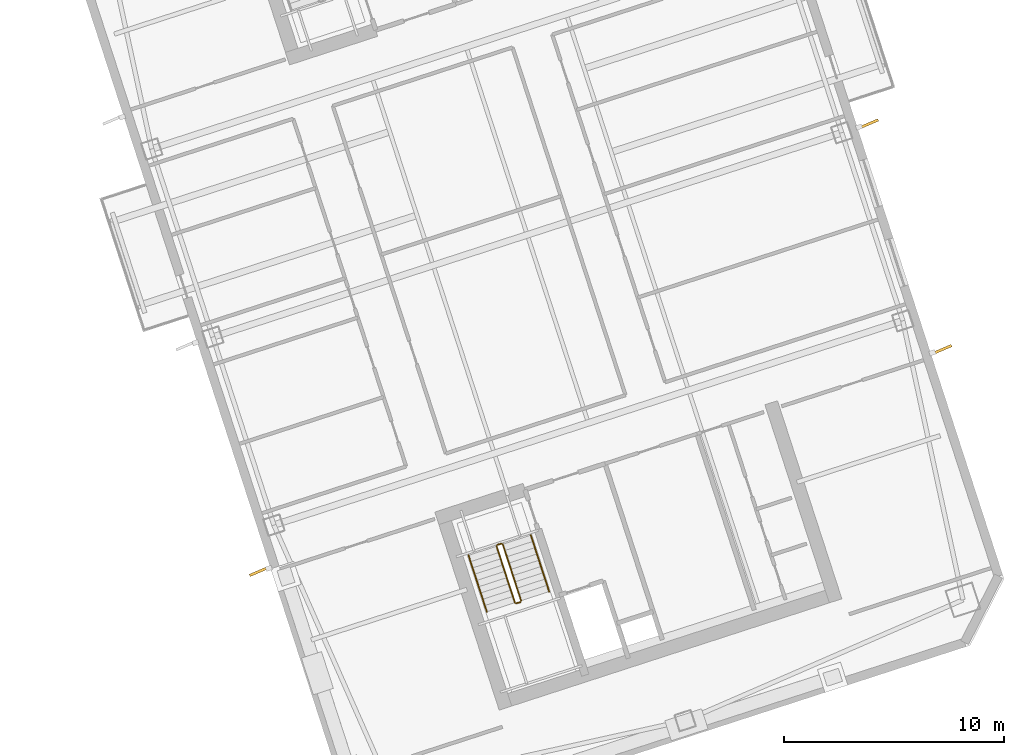
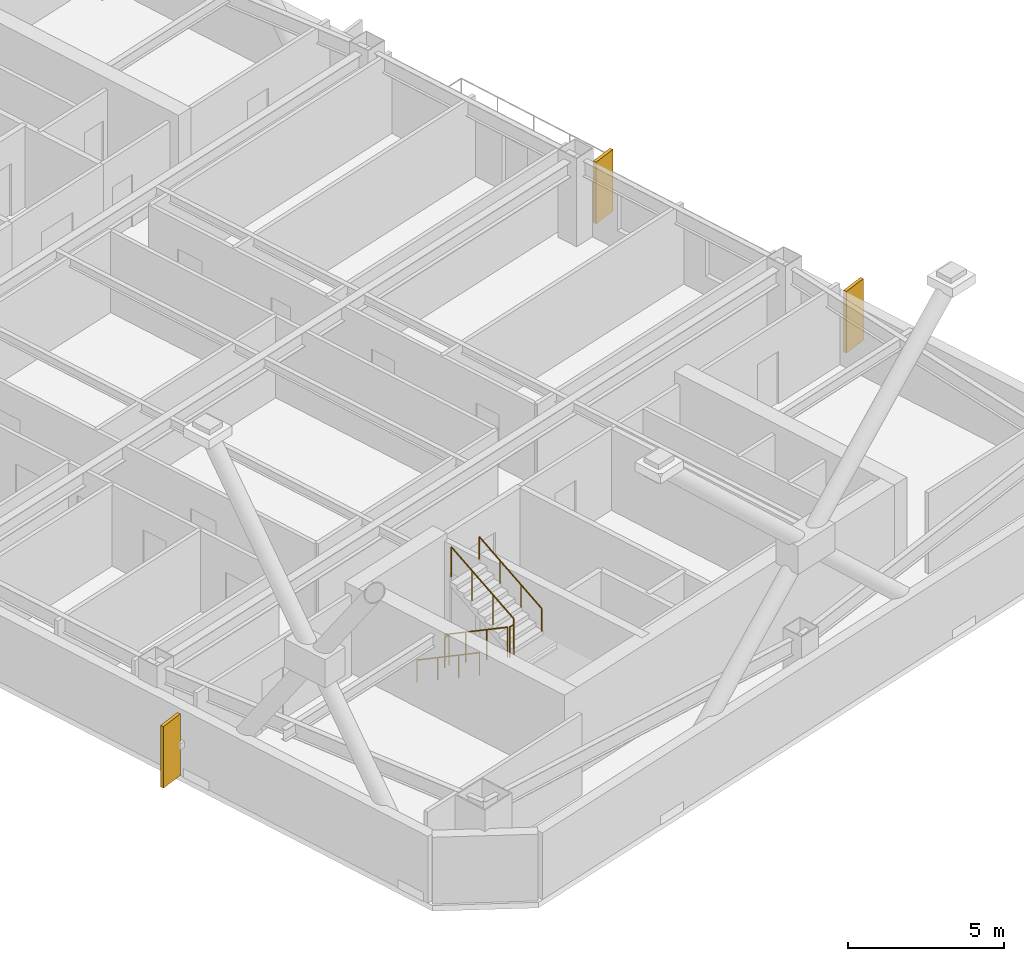
# One storey, part 17 of 18: 6 railings, 3 shading devices.
"""IFC4 building model written with IfcOpenShell, lengths in metres."""

from ifc_helpers import new_model, si_unit, direction, frame, origin, origin_2d, place, context, subcontext, project, spatial, rectangle, circle, extrude, material, layer, layer_set, type_object, element, save


model = new_model("IFC4")

# Units and contexts
model_context = context("Model", 3, precision=1e-05, world=origin(), true_north=direction((0.0, 1.0)))
body_context = subcontext(model_context, "Body", "Model", "MODEL_VIEW")
ifc_project = project(units=[si_unit("LENGTHUNIT", "METRE"), si_unit("AREAUNIT", "SQUARE_METRE"), si_unit("VOLUMEUNIT", "CUBIC_METRE"), si_unit("PLANEANGLEUNIT", "RADIAN"), si_unit("MASSUNIT", "GRAM", prefix="KILO")], contexts=[model_context])

# Site, building, storey
site_placement = place(None, origin())
site = spatial("IfcSite", under=ifc_project, at=site_placement, CompositionType="ELEMENT")
building_placement = place(site_placement, origin())
building = spatial("IfcBuilding", under=site, at=building_placement, Name="Qiaolan Cultural Towers", CompositionType="ELEMENT")
storey_placement = place(building_placement, frame((0.0, 0.0, 163.300048828125)))
storey = spatial("IfcBuildingStorey", under=building, at=storey_placement, Name="L43", CompositionType="ELEMENT", Elevation=163.300048828125)

# Railings
ifc_material_1 = material(Name="Galvanized Painted Steel Stair Guardrail", Category="steel")
railing_type_1 = type_object("IfcRailingType", Name="RL-STAIR-GRD", PredefinedType="GUARDRAIL", material=ifc_material_1)
railing_1_placement = place(storey_placement, frame((88.60205078125, 19.82421875, 0.17236328125)))
element("IfcRailing", 1, at=railing_1_placement, inside=storey, type_object=railing_type_1, Name="L43 ST-E1 stair guard 1", PredefinedType="GUARDRAIL", context=body_context, shape_type="SweptSolid", body=[
    extrude(circle(Radius=0.02392578125, at=origin_2d()), frame((0.0, 0.0, 1.17578125), z_axis=(0.267925668498, -0.824471088726, 0.498460891159), x_axis=(0.951043371037, 0.309057448393, 0.0)), (0.0, 0.0, 1.0), 3.114501953125),
    extrude(circle(Radius=0.02099609375, at=origin_2d()), origin(), (0.0, 0.0, 1.0), 1.15185546875),
    extrude(circle(Radius=0.02099609375, at=origin_2d()), frame((0.278076171875, -0.85595703125, 0.517578125)), (0.0, 0.0, 1.0), 1.15185546875),
    extrude(circle(Radius=0.02099609375, at=origin_2d()), frame((0.556396484375, -1.7119140625, 1.034912109375)), (0.0, 0.0, 1.0), 1.15185546875),
    extrude(circle(Radius=0.02099609375, at=origin_2d()), frame((0.83447265625, -2.56787109375, 1.552490234375)), (0.0, 0.0, 1.0), 1.15185546875),
])
railing_2_placement = place(storey_placement, frame((89.49951171875, 17.224365234375, 1.724853515625)))
element("IfcRailing", 2, at=railing_2_placement, inside=storey, type_object=railing_type_1, Name="L43 ST-E1 stair guard 2", PredefinedType="GUARDRAIL", context=body_context, shape_type="SweptSolid", body=[
    extrude(circle(Radius=0.02392578125, at=origin_2d()), frame((0.0, 0.0, 1.17578125), z_axis=(0.951096855055, 0.308892816854, 0.0), x_axis=(-0.308892816854, 0.951096855055, 0.0)), (0.0, 0.0, 1.0), 0.199951171875),
    extrude(circle(Radius=0.02099609375, at=origin_2d()), origin(), (0.0, 0.0, 1.0), 1.15185546875),
    extrude(circle(Radius=0.02099609375, at=origin_2d()), frame((0.190185546875, 0.061767578125, 0.0)), (0.0, 0.0, 1.0), 1.15185546875),
])
railing_3_placement = place(storey_placement, frame((89.721923828125, 17.34912109375, 1.8974609375)))
element("IfcRailing", 3, at=railing_3_placement, inside=storey, type_object=railing_type_1, Name="L43 ST-E1 stair guard 3", PredefinedType="GUARDRAIL", context=body_context, shape_type="SweptSolid", body=[
    extrude(circle(Radius=0.02392578125, at=origin_2d()), frame((0.0, 0.0, 1.17578125), z_axis=(-0.267925668498, 0.824471088726, 0.498460891159), x_axis=(-0.951043371037, -0.309057448393, 0.0)), (0.0, 0.0, 1.0), 3.114501953125),
    extrude(circle(Radius=0.02099609375, at=origin_2d()), origin(), (0.0, 0.0, 1.0), 1.15185546875),
    extrude(circle(Radius=0.02099609375, at=origin_2d()), frame((-0.278076171875, 0.85595703125, 0.517578125)), (0.0, 0.0, 1.0), 1.15185546875),
    extrude(circle(Radius=0.02099609375, at=origin_2d()), frame((-0.556396484375, 1.7119140625, 1.034912109375)), (0.0, 0.0, 1.0), 1.15185546875),
    extrude(circle(Radius=0.02099609375, at=origin_2d()), frame((-0.83447265625, 2.56787109375, 1.552490234375)), (0.0, 0.0, 1.0), 1.15185546875),
])
railing_4_placement = place(storey_placement, frame((88.63427734375, 19.88720703125, 0.0)))
element("IfcRailing", 4, at=railing_4_placement, inside=storey, type_object=railing_type_1, Name="L43 ST-E1 stair guard 4", PredefinedType="GUARDRAIL", context=body_context, shape_type="SweptSolid", body=[
    extrude(circle(Radius=0.02392578125, at=origin_2d()), frame((0.0, 0.0, 1.17578125), z_axis=(0.951096855055, 0.308892816854, 0.0), x_axis=(-0.308892816854, 0.951096855055, 0.0)), (0.0, 0.0, 1.0), 0.199951171875),
    extrude(circle(Radius=0.02099609375, at=origin_2d()), origin(), (0.0, 0.0, 1.0), 1.15185546875),
    extrude(circle(Radius=0.02099609375, at=origin_2d()), frame((0.190185546875, 0.061767578125, 0.0)), (0.0, 0.0, 1.0), 1.15185546875),
])
ifc_material_2 = material(Name="Stainless Steel S30408 Tubular Handrail", Category="steel")
railing_type_2 = type_object("IfcRailingType", Name="RL-STAIR-HR", PredefinedType="HANDRAIL", material=ifc_material_2)
railing_5_placement = place(storey_placement, frame((87.32763671875, 19.41015625, 0.17236328125)))
element("IfcRailing", 5, at=railing_5_placement, inside=storey, type_object=railing_type_2, Name="L43 ST-E1 stair handrail 1", PredefinedType="HANDRAIL", context=body_context, shape_type="SweptSolid", body=[
    extrude(circle(Radius=0.02392578125, at=origin_2d()), frame((0.0, 0.0, 0.8759765625), z_axis=(0.267925668498, -0.824471088726, 0.498460891159), x_axis=(0.951043371037, 0.309057448393, 0.0)), (0.0, 0.0, 1.0), 3.114501953125),
    extrude(circle(Radius=0.02099609375, at=origin_2d()), origin(), (0.0, 0.0, 1.0), 0.851806640625),
    extrude(circle(Radius=0.02099609375, at=origin_2d()), frame((0.278076171875, -0.85595703125, 0.517578125)), (0.0, 0.0, 1.0), 0.851806640625),
    extrude(circle(Radius=0.02099609375, at=origin_2d()), frame((0.556396484375, -1.7119140625, 1.034912109375)), (0.0, 0.0, 1.0), 0.851806640625),
    extrude(circle(Radius=0.02099609375, at=origin_2d()), frame((0.83447265625, -2.56787109375, 1.552490234375)), (0.0, 0.0, 1.0), 0.851806640625),
])
railing_6_placement = place(storey_placement, frame((90.996337890625, 17.76318359375, 1.8974609375)))
element("IfcRailing", 6, at=railing_6_placement, inside=storey, type_object=railing_type_2, Name="L43 ST-E1 stair handrail 2", PredefinedType="HANDRAIL", context=body_context, shape_type="SweptSolid", body=[
    extrude(circle(Radius=0.02392578125, at=origin_2d()), frame((0.0, 0.0, 0.8759765625), z_axis=(-0.267925668498, 0.824471088726, 0.498460891159), x_axis=(-0.951043371037, -0.309057448393, 0.0)), (0.0, 0.0, 1.0), 3.114501953125),
    extrude(circle(Radius=0.02099609375, at=origin_2d()), origin(), (0.0, 0.0, 1.0), 0.851806640625),
    extrude(circle(Radius=0.02099609375, at=origin_2d()), frame((-0.278076171875, 0.85595703125, 0.517578125)), (0.0, 0.0, 1.0), 0.851806640625),
    extrude(circle(Radius=0.02099609375, at=origin_2d()), frame((-0.556396484375, 1.7119140625, 1.034912109375)), (0.0, 0.0, 1.0), 0.851806640625),
    extrude(circle(Radius=0.02099609375, at=origin_2d()), frame((-0.83447265625, 2.56787109375, 1.552490234375)), (0.0, 0.0, 1.0), 0.851806640625),
])

# Shading devices
ifc_material_3 = material(Name="Pierced Warm Terracotta Acoustic Fin", Category="masonry")
ifc_layer = layer(ifc_material_3, 0.1201171875)
ifc_layer_set = layer_set([ifc_layer], Name="Pierced Warm Terracotta Acoustic Fin")
shading_device_type = type_object("IfcShadingDeviceType", Name="SHD-FIN-PIERCED", PredefinedType="USERDEFINED", material=ifc_layer_set)
for number, where, z_axis, x_axis, name in (
    (7, (77.778076171875, 18.673095703125, 0.10009765625), (0.0, 0.0, 1.0), (0.919613873492, 0.392823527404, 0.0), "L43 T2 Expressive Precast Vertical Fin W1"),
    (8, (108.896728515625, 28.7841796875, 0.10009765625), (0.0, 0.0, 1.0), (0.919613873492, 0.392823527404, 0.0), "L43 T2 Expressive Precast Vertical Fin E1"),
    (9, (105.559326171875, 39.055419921875, 0.10009765625), (0.0, 0.0, 1.0), (0.919613873492, 0.392823527404, 0.0), "L43 T2 Expressive Precast Vertical Fin E2"),
):
    element("IfcShadingDevice", number, at=place(storey_placement, frame(where, z_axis=z_axis, x_axis=x_axis)), inside=storey, type_object=shading_device_type, Name=name, ObjectType="FIN", PredefinedType="USERDEFINED", context=body_context, shape_type="SweptSolid", body=[
        extrude(rectangle(XDim=0.89990234375, YDim=0.1201171875, at=origin_2d()), origin(), (0.0, 0.0, 1.0), 2.409912109375),
    ])

save(model, "model.ifc")
